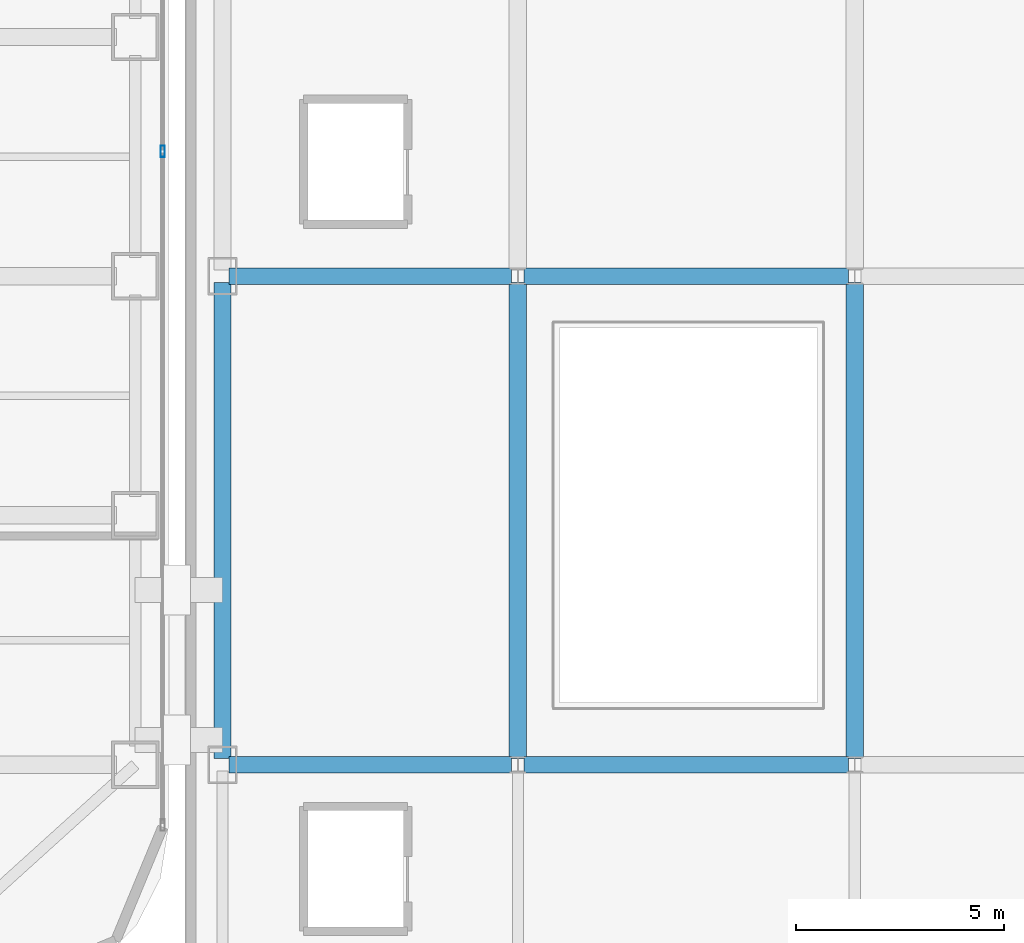
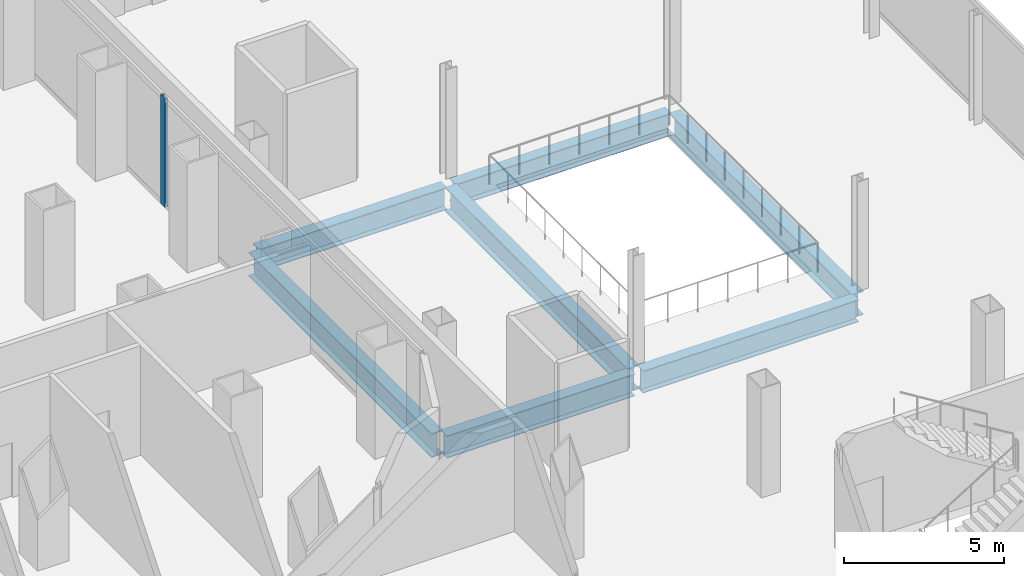
# One storey, part 12 of 26: 7 beams, 1 member, 1 element without a shape of its own.
"""IFC4 building model written with IfcOpenShell, lengths in metres."""

from ifc_helpers import new_model, si_unit, direction, frame, origin, origin_2d, place, context, subcontext, project, spatial, hollow_rectangle, i_section, extrude, source, transform, mapped, material, layer, layer_set, material_profile, profile_set, type_object, element, aggregate, save


model = new_model("IFC4")

# Units and contexts
model_context = context("Model", 3, precision=1e-05, world=origin(), true_north=direction((0.0, 1.0)))
body_context = subcontext(model_context, "Body", "Model", "MODEL_VIEW")
ifc_project = project(units=[si_unit("LENGTHUNIT", "METRE"), si_unit("AREAUNIT", "SQUARE_METRE"), si_unit("VOLUMEUNIT", "CUBIC_METRE"), si_unit("PLANEANGLEUNIT", "RADIAN"), si_unit("MASSUNIT", "GRAM", prefix="KILO")], contexts=[model_context])

# Site, building, storey
site_placement = place(None, origin())
site = spatial("IfcSite", under=ifc_project, at=site_placement, CompositionType="ELEMENT")
building_placement = place(site_placement, origin())
building = spatial("IfcBuilding", under=site, at=building_placement, Name="Kolveth Station Tower", CompositionType="ELEMENT")
storey_placement = place(building_placement, frame((0.0, 0.0, 4.5)))
storey = spatial("IfcBuildingStorey", under=building, at=storey_placement, Name="L01", CompositionType="ELEMENT", Elevation=4.5)

# Beams
ifc_material_1 = material(Name="Steel S355", Category="steel")
ifc_material_profile_1 = material_profile(ifc_material_1, i_section(OverallWidth=0.40087890625, OverallDepth=0.85107421875, WebThickness=0.01611328125, FlangeThickness=0.025390625, at=origin_2d()), Name="W840x226")
ifc_profile_set_1 = profile_set([ifc_material_profile_1], Name="Steel S355")
beam_type_1 = type_object("IfcBeamType", Name="Beam_B2", PredefinedType="BEAM", material=ifc_profile_set_1)
shared_shape_1 = source(origin(), body_context, "Body", "SweptSolid", [
    extrude(i_section(OverallWidth=0.40087890625, OverallDepth=0.85107421875, WebThickness=0.01611328125, FlangeThickness=0.025390625, at=origin_2d()), origin(), (0.0, 0.0, 1.0), 6.800048828125),
])
for number, where, z_axis, x_axis, name in (
    (1, (48.449951171875, 5.5, -0.74560546875), (1.0, 0.0, 0.0), (0.0, 1.0, 0.0), "L01 Station Portal Girder SBM-L01-EW-3-1"),
    (2, (48.449951171875, 17.25, -0.74560546875), (1.0, 0.0, 0.0), (0.0, 1.0, 0.0), "L01 Station Portal Girder SBM-L01-EW-4-1"),
):
    element("IfcBeam", number, at=place(storey_placement, frame(where, z_axis=z_axis, x_axis=x_axis)), inside=storey, type_object=beam_type_1, Name=name, PredefinedType="BEAM", context=body_context, shape_type="MappedRepresentation", body=[
        mapped(shared_shape_1, transform((0.0, 0.0, 0.0), x_axis=(1.0, 0.0, 0.0), y_axis=(0.0, 1.0, 0.0), z_axis=(0.0, 0.0, 1.0), scale=1.0)),
    ])
shared_shape_2 = source(origin(), body_context, "Body", "SweptSolid", [
    extrude(i_section(OverallWidth=0.40087890625, OverallDepth=0.85107421875, WebThickness=0.01611328125, FlangeThickness=0.025390625, at=origin_2d()), origin(), (0.0, 0.0, 1.0), 7.800048828125),
])
for number, where, z_axis, x_axis, name in (
    (3, (55.550048828125, 5.5, -0.74560546875), (1.0, 0.0, 0.0), (0.0, 1.0, 0.0), "L01 Station Portal Girder SBM-L01-EW-3-2"),
    (4, (55.550048828125, 17.25, -0.74560546875), (1.0, 0.0, 0.0), (0.0, 1.0, 0.0), "L01 Station Portal Girder SBM-L01-EW-4-2"),
):
    element("IfcBeam", number, at=place(storey_placement, frame(where, z_axis=z_axis, x_axis=x_axis)), inside=storey, type_object=beam_type_1, Name=name, PredefinedType="BEAM", context=body_context, shape_type="MappedRepresentation", body=[
        mapped(shared_shape_2, transform((0.0, 0.0, 0.0), x_axis=(1.0, 0.0, 0.0), y_axis=(0.0, 1.0, 0.0), z_axis=(0.0, 0.0, 1.0), scale=1.0)),
    ])
ifc_material_profile_2 = material_profile(ifc_material_1, i_section(OverallWidth=0.41796875, OverallDepth=0.912109375, WebThickness=0.019287109375, FlangeThickness=0.031982421875, at=origin_2d()), Name="W920x342")
ifc_profile_set_2 = profile_set([ifc_material_profile_2], Name="Steel S355")
beam_type_2 = type_object("IfcBeamType", Name="Beam_B1", PredefinedType="BEAM", material=ifc_profile_set_2)
shared_shape_3 = source(origin(), body_context, "Body", "SweptSolid", [
    extrude(i_section(OverallWidth=0.41796875, OverallDepth=0.912109375, WebThickness=0.019287109375, FlangeThickness=0.031982421875, at=origin_2d()), origin(), (0.0, 0.0, 1.0), 11.4501953125),
])
for number, where, z_axis, x_axis, name in (
    (5, (48.300048828125, 5.64990234375, -0.77587890625), (0.0, 1.0, 0.0), (-1.0, 0.0, 0.0), "L01 Station Spine Girder SBM-L01-NS-1-3"),
    (6, (55.39990234375, 5.64990234375, -0.77587890625), (0.0, 1.0, 0.0), (-1.0, 0.0, 0.0), "L01 Station Spine Girder SBM-L01-NS-2-3"),
    (7, (63.5, 5.64990234375, -0.77587890625), (0.0, 1.0, 0.0), (-1.0, 0.0, 0.0), "L01 Station Spine Girder SBM-L01-NS-3-3"),
):
    element("IfcBeam", number, at=place(storey_placement, frame(where, z_axis=z_axis, x_axis=x_axis)), inside=storey, type_object=beam_type_2, Name=name, PredefinedType="BEAM", context=body_context, shape_type="MappedRepresentation", body=[
        mapped(shared_shape_3, transform((0.0, 0.0, 0.0), x_axis=(1.0, 0.0, 0.0), y_axis=(0.0, 1.0, 0.0), z_axis=(0.0, 0.0, 1.0), scale=1.0)),
    ])

# Curtain wall, member
ifc_material_2 = material(Name="Black anodized aluminium 6063-T6 and clear station glass", Category="aluminium")
ifc_layer = layer(ifc_material_2, 0.239990234375)
ifc_layer_set = layer_set([ifc_layer], Name="Black anodized aluminium 6063-T6 and clear station glass")
curtain_wall_type = type_object("IfcCurtainWallType", Name="CurtainWall_CW-ST", PredefinedType="NOTDEFINED", material=ifc_layer_set)
curtain_wall_placement = place(storey_placement, origin())
curtain_wall = element("IfcCurtainWall", 8, at=curtain_wall_placement, inside=storey, type_object=curtain_wall_type, Name="L01 Tower Podium East Storefront Curtain Wall", PredefinedType="NOTDEFINED")
ifc_material_3 = material(Name="Black anodized aluminium 6063-T6", Category="aluminium")
ifc_material_profile_3 = material_profile(ifc_material_3, hollow_rectangle(XDim=0.10009765625, YDim=0.280029296875, WallThickness=0.0048828125, at=origin_2d()), Name="ALU-100x280x5")
ifc_profile_set_3 = profile_set([ifc_material_profile_3], Name="Black anodized aluminium 6063-T6")
member_type = type_object("IfcMemberType", Name="Mullion_ML-ST", PredefinedType="MULLION", material=ifc_profile_set_3)
shared_shape_4 = source(origin(), body_context, "Body", "SweptSolid", [
    extrude(hollow_rectangle(XDim=0.10009765625, YDim=0.280029296875, WallThickness=0.0048828125, at=origin_2d()), origin(), (0.0, 0.0, 1.0), 4.179931640625),
])
member_placement = place(storey_placement, frame((46.860107421875, 20.25, 0.0), z_axis=(0.0, 0.0, 1.0), x_axis=(-1.0, 0.0, 0.0)))
member = element("IfcMember", 9, at=member_placement, type_object=member_type, Name="CW-ST mullion 2", PredefinedType="MULLION", context=body_context, shape_type="MappedRepresentation", body=[
    mapped(shared_shape_4, transform((0.0, 0.0, 0.0), x_axis=(1.0, 0.0, 0.0), y_axis=(0.0, 1.0, 0.0), z_axis=(0.0, 0.0, 1.0), scale=1.0)),
])
aggregate(curtain_wall, [member])

save(model, "model.ifc")
